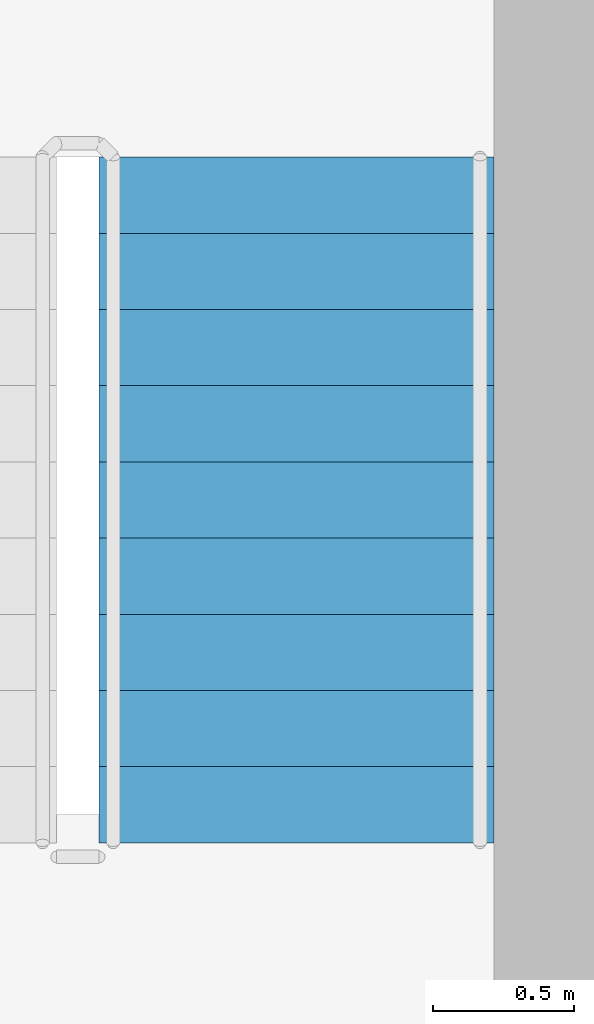
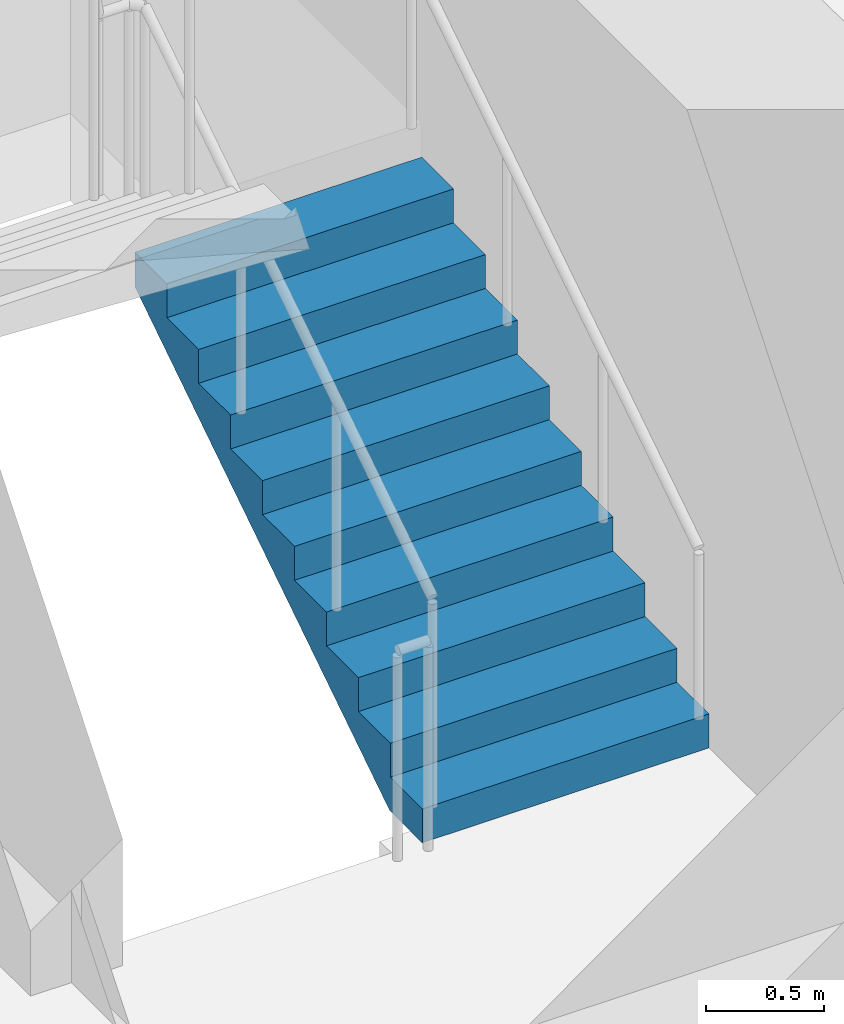
# One storey, part 17 of 24: 1 stair flight, 1 element without a shape of its own.
"""IFC4 building model written with IfcOpenShell, lengths in metres."""

import ifcopenshell
import ifcopenshell.guid

model = None  # the IFC model being written
_history = None  # IfcOwnerHistory: only IFC2X3 demands one
_inside = {}  # id of a spatial element -> (the spatial element, [elements in it])
_under = {}  # id of a project, library or spatial element -> (it, [spatial elements below it])
_declared = {}  # id of a project -> (the project, [libraries it declares])
_typed = {}  # id of a type object -> (the type object, [elements of that type])
_made_of = {}  # id of a material, layer set ... -> (it, [elements and type objects made of it])


def new_model(schema):
    """Start an empty IFC model of exactly this schema.

    Asked for "IFC4X3", IfcOpenShell would pick the latest addendum, in which some entities
    have other attributes; the version numbers below select the first issue.
    IFC2X3 requires an IfcOwnerHistory on every rooted entity: one is made here for all.
    """
    global model, _history
    if schema == "IFC4X3":
        model = ifcopenshell.file(schema_version=(4, 3, 0, 0))
    else:
        model = ifcopenshell.file(schema=schema)
    _inside.clear()
    _under.clear()
    _declared.clear()
    _typed.clear()
    _made_of.clear()
    _history = None
    if model.schema == "IFC2X3":
        org = make("IfcOrganization", Name="unknown")
        user = make(
            "IfcPersonAndOrganization",
            ThePerson=make("IfcPerson", FamilyName="unknown"),
            TheOrganization=org,
        )
        app = make(
            "IfcApplication",
            ApplicationDeveloper=org,
            Version="unknown",
            ApplicationFullName="unknown",
            ApplicationIdentifier="unknown",
        )
        _history = make(
            "IfcOwnerHistory",
            OwningUser=user,
            OwningApplication=app,
            ChangeAction="ADDED",
            CreationDate=0,
        )
    return model


def make(cls, **values):
    """One entity of the class cls with the attributes given. An attribute that is None is left unset."""
    return model.create_entity(
        cls, **{name: value for name, value in values.items() if value is not None}
    )


def rooted(cls, **values):
    """An entity with a GlobalId (a new one), such as an element, a storey or a relation."""
    return make(cls, GlobalId=ifcopenshell.guid.new(), OwnerHistory=_history, **values)


def si_unit(unit_type, name, prefix=None):
    """IfcSIUnit, for example si_unit("LENGTHUNIT", "METRE", prefix="MILLI")."""
    return make("IfcSIUnit", UnitType=unit_type, Prefix=prefix, Name=name)


def assignment(units):
    """IfcUnitAssignment: the units of a project."""
    return None if units is None else make("IfcUnitAssignment", Units=units)


def point(xyz):
    """IfcCartesianPoint."""
    return None if xyz is None else make("IfcCartesianPoint", Coordinates=xyz)


def direction(xyz):
    """IfcDirection."""
    return None if xyz is None else make("IfcDirection", DirectionRatios=xyz)


def frame(location, z_axis=None, x_axis=None):
    """IfcAxis2Placement3D, a coordinate frame: its origin and axes. An axis left out is left unset."""
    return make(
        "IfcAxis2Placement3D",
        Location=point(location),
        Axis=direction(z_axis),
        RefDirection=direction(x_axis),
    )


def origin():
    """The frame at (0, 0, 0) with its axes left unset."""
    return frame((0.0, 0.0, 0.0))


def place(relative_to, where):
    """IfcLocalPlacement: puts the frame where relative to a parent placement (None: the world)."""
    return make(
        "IfcLocalPlacement", PlacementRelTo=relative_to, RelativePlacement=where
    )


def context(
    kind, dimensions, precision=None, world=None, true_north=None, identifier=None
):
    """IfcGeometricRepresentationContext, for example the 3D "Model" context."""
    return make(
        "IfcGeometricRepresentationContext",
        ContextIdentifier=identifier,
        ContextType=kind,
        CoordinateSpaceDimension=dimensions,
        Precision=precision,
        WorldCoordinateSystem=world,
        TrueNorth=true_north,
    )


def subcontext(parent, identifier, kind, view, scale=None):
    """IfcGeometricRepresentationSubContext, for example "Body" below "Model"."""
    return make(
        "IfcGeometricRepresentationSubContext",
        ContextIdentifier=identifier,
        ContextType=kind,
        ParentContext=parent,
        TargetScale=scale,
        TargetView=view,
    )


def project(units=None, contexts=None):
    """IfcProject with its units and contexts."""
    return rooted(
        "IfcProject",
        Name="project",
        RepresentationContexts=contexts,
        UnitsInContext=assignment(units),
    )


def spatial(cls, under=None, at=None, **own):
    """A site, building, storey or space (cls), placed at a placement, below another one or the project."""
    s = rooted(cls, ObjectPlacement=at, **own)
    if under is not None:
        _under.setdefault(under.id(), (under, []))[1].append(s)
    return s


def polyline(points):
    """IfcPolyline through the points."""
    return make("IfcPolyline", Points=[point(p) for p in points])


def outline(outer, holes=None, kind="AREA"):
    """IfcArbitraryClosedProfileDef: a profile drawn as a closed curve; with holes, ...WithVoids."""
    if holes is None:
        return make("IfcArbitraryClosedProfileDef", ProfileType=kind, OuterCurve=outer)
    return make(
        "IfcArbitraryProfileDefWithVoids",
        ProfileType=kind,
        OuterCurve=outer,
        InnerCurves=holes,
    )


def extrude(swept, where, along, depth):
    """IfcExtrudedAreaSolid: the profile swept, set in the frame where, extruded along a direction by depth."""
    return make(
        "IfcExtrudedAreaSolid",
        SweptArea=swept,
        Position=where,
        ExtrudedDirection=direction(along),
        Depth=depth,
    )


def shape(context_of_items, identifier, shape_type, items):
    """IfcShapeRepresentation: the items that make up one representation, for example the "Body"."""
    return make(
        "IfcShapeRepresentation",
        ContextOfItems=context_of_items,
        RepresentationIdentifier=identifier,
        RepresentationType=shape_type,
        Items=items,
    )


def material(Name=None, Category=None):
    """IfcMaterial."""
    return make("IfcMaterial", Name=Name, Category=Category)


def layer(
    of_material, thickness, ventilated=None, Name=None, Category=None, Priority=None
):
    """IfcMaterialLayer: one layer of a wall or slab, of a material (None: an air gap)."""
    return make(
        "IfcMaterialLayer",
        Material=of_material,
        LayerThickness=thickness,
        IsVentilated=ventilated,
        Name=Name,
        Category=Category,
        Priority=Priority,
    )


def layer_set(layers, Name=None):
    """IfcMaterialLayerSet."""
    return make("IfcMaterialLayerSet", MaterialLayers=layers, LayerSetName=Name)


def made_of(thing, what):
    """Note that an element or type object is made of a material, layer set ...; save() writes the relation."""
    if what is not None:
        _made_of.setdefault(what.id(), (what, []))[1].append(thing)
    return thing


def type_object(cls, material=None, **own):
    """A type object (cls), such as IfcWallType, which elements share."""
    return made_of(rooted(cls, **own), material)


def element(
    cls,
    number,
    at=None,
    inside=None,
    cuts=None,
    type_object=None,
    material=None,
    context=None,
    identifier="Body",
    shape_type=None,
    held_by="IfcProductDefinitionShape",
    body=None,
    shapes=None,
    **own,
):
    """One element of the class cls, such as IfcWall. Its Tag is "e" and its number.

    at: its placement. inside: the storey or other place that contains it. cuts: it is an
    opening in that element (IfcRelVoidsElement). A single representation is given by context,
    identifier, shape_type and body (its items); several are given by shapes. held_by: the class
    of the entity that holds the representations. save() writes the other relations.
    """
    e = rooted(cls, Tag="e%d" % number, ObjectPlacement=at, **own)
    if body is not None:
        shapes = [shape(context, identifier, shape_type, body)]
    if shapes is not None:
        e.Representation = make(held_by, Representations=shapes)
    if inside is not None:
        _inside.setdefault(inside.id(), (inside, []))[1].append(e)
    if cuts is not None:
        rooted(
            "IfcRelVoidsElement", RelatingBuildingElement=cuts, RelatedOpeningElement=e
        )
    if type_object is not None:
        _typed.setdefault(type_object.id(), (type_object, []))[1].append(e)
    return made_of(e, material)


def aggregate(whole, parts):
    """IfcRelAggregates: a whole, such as a stair, and the parts it consists of."""
    return rooted("IfcRelAggregates", RelatingObject=whole, RelatedObjects=parts)


def save(model, path):
    """Write the relations noted so far, then the file.

    IfcRelAggregates (storeys below a building ...), IfcRelContainedInSpatialStructure (elements
    in a storey), IfcRelDefinesByType, IfcRelAssociatesMaterial and IfcRelDeclares: one each for
    every whole, place, type object, material and project.
    """
    for whole, parts in _under.values():
        aggregate(whole, parts)
    for where, things in _inside.values():
        rooted(
            "IfcRelContainedInSpatialStructure",
            RelatedElements=things,
            RelatingStructure=where,
        )
    for kind, things in _typed.values():
        rooted("IfcRelDefinesByType", RelatedObjects=things, RelatingType=kind)
    for what, things in _made_of.values():
        rooted("IfcRelAssociatesMaterial", RelatedObjects=things, RelatingMaterial=what)
    for by, libraries in _declared.values():
        rooted("IfcRelDeclares", RelatingContext=by, RelatedDefinitions=libraries)
    model.write(path)


model = new_model("IFC4")

# Units and contexts
model_context = context("Model", 3, precision=1e-05, world=origin(), true_north=direction((0.0, 1.0)))
body_context = subcontext(model_context, "Body", "Model", "MODEL_VIEW")
ifc_project = project(units=[si_unit("LENGTHUNIT", "METRE"), si_unit("AREAUNIT", "SQUARE_METRE"), si_unit("VOLUMEUNIT", "CUBIC_METRE"), si_unit("PLANEANGLEUNIT", "RADIAN"), si_unit("MASSUNIT", "GRAM", prefix="KILO")], contexts=[model_context])

# Site, building, storey
site_placement = place(None, origin())
site = spatial("IfcSite", under=ifc_project, at=site_placement, CompositionType="ELEMENT")
building_placement = place(site_placement, origin())
building = spatial("IfcBuilding", under=site, at=building_placement, Name="Saffron Iwan Residences", CompositionType="ELEMENT")
storey_placement = place(building_placement, frame((0.0, 0.0, 27.0)))
storey = spatial("IfcBuildingStorey", under=building, at=storey_placement, Name="L05", CompositionType="ELEMENT", Elevation=27.0)

# Stair, stair flight
ifc_material = material(Name="Concrete C50/60", Category="concrete")
stair_type = type_object("IfcStairType", Name="Stair ST-CORE", PredefinedType="HALF_TURN_STAIR", material=ifc_material)
stair_placement = place(storey_placement, origin())
stair = element("IfcStair", 1, at=stair_placement, inside=storey, type_object=stair_type, Name="L05 Exit Stair ST-E", PredefinedType="HALF_TURN_STAIR")
ifc_layer = layer(ifc_material, 0.14990234375)
ifc_layer_set = layer_set([ifc_layer], Name="Concrete C50/60")
stair_flight_type = type_object("IfcStairFlightType", Name="Stair flight SFL-RC", PredefinedType="STRAIGHT", material=ifc_layer_set)
stair_flight_placement = place(storey_placement, frame((70.39990234375, 67.85009765625, 0.0), z_axis=(0.0, 0.0, 1.0), x_axis=(0.0, 1.0, 0.0)))
stair_flight = element("IfcStairFlight", 2, at=stair_flight_placement, type_object=stair_flight_type, Name="ST-E flight 1", NumberOfRisers=10, NumberOfTreads=9, PredefinedType="STRAIGHT", RiserHeight=0.175, TreadLength=0.27, context=body_context, shape_type="SweptSolid", body=[
    extrude(outline(polyline([(0.0, 0.0), (0.0, 0.175048828125), (0.27001953125, 0.175048828125), (0.27001953125, 0.35009765625), (0.5400390625, 0.35009765625), (0.5400390625, 0.52490234375), (0.81005859375, 0.52490234375), (0.81005859375, 0.699951171875), (1.080078125, 0.699951171875), (1.080078125, 0.875), (1.35009765625, 0.875), (1.35009765625, 1.050048828125), (1.6201171875, 1.050048828125), (1.6201171875, 1.22509765625), (1.889892578125, 1.22509765625), (1.889892578125, 1.39990234375), (2.159912109375, 1.39990234375), (2.159912109375, 1.574951171875), (2.429931640625, 1.574951171875), (2.429931640625, 1.75), (2.429931640625, 1.396484375), (0.275634765625, 0.0), (0.0, 0.0)])), frame((0.0, 0.699951171875, 0.0), z_axis=(0.0, -1.0, 0.0), x_axis=(1.0, 0.0, 0.0)), (0.0, 0.0, 1.0), 1.39990234375),
])
aggregate(stair, [stair_flight])

save(model, "model.ifc")
